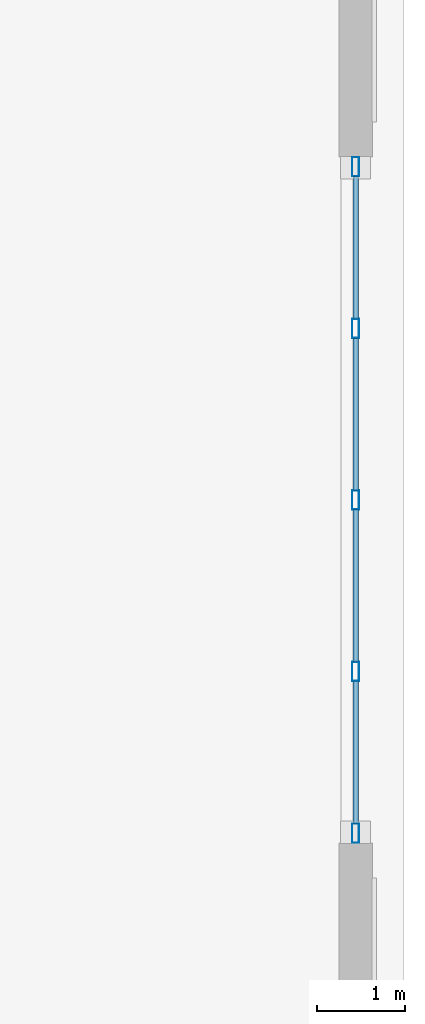
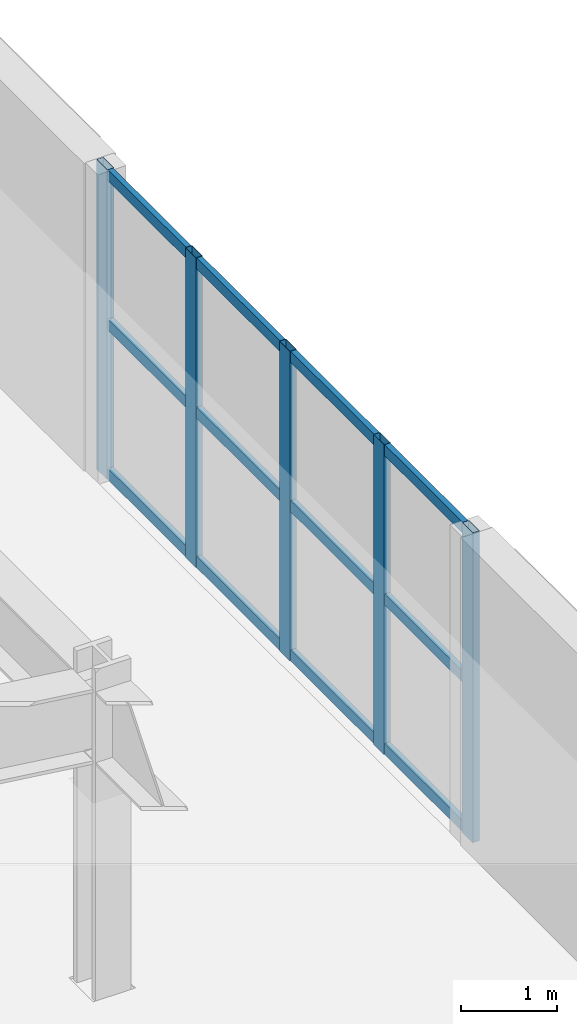
# One storey, part 12 of 22: 17 members, 1 element without a shape of its own.
"""IFC4 building model written with IfcOpenShell, lengths in metres."""

from ifc_helpers import new_model, si_unit, direction, frame, origin, origin_2d, place, context, subcontext, project, spatial, hollow_rectangle, extrude, material, layer, layer_set, material_profile, profile_set, type_object, element, aggregate, save


model = new_model("IFC4")

# Units and contexts
model_context = context("Model", 3, precision=1e-05, world=origin(), true_north=direction((0.0, 1.0)))
body_context = subcontext(model_context, "Body", "Model", "MODEL_VIEW")
ifc_project = project(units=[si_unit("LENGTHUNIT", "METRE"), si_unit("AREAUNIT", "SQUARE_METRE"), si_unit("VOLUMEUNIT", "CUBIC_METRE"), si_unit("PLANEANGLEUNIT", "RADIAN"), si_unit("MASSUNIT", "GRAM", prefix="KILO")], contexts=[model_context])

# Site, building, storey
site_placement = place(None, origin())
site = spatial("IfcSite", under=ifc_project, at=site_placement, CompositionType="ELEMENT")
building_placement = place(site_placement, origin())
building = spatial("IfcBuilding", under=site, at=building_placement, Name="Oramaril Tower", CompositionType="ELEMENT")
storey_placement = place(building_placement, frame((0.0, 0.0, 14.10009765625)))
storey = spatial("IfcBuildingStorey", under=building, at=storey_placement, Name="L03", CompositionType="ELEMENT", Elevation=14.10009765625)

# Curtain wall, members
ifc_material_1 = material(Name="Anodised Aluminium 6063-T6", Category="aluminium")
ifc_layer = layer(ifc_material_1, 0.219970703125)
ifc_layer_set = layer_set([ifc_layer], Name="CWT-SYS2")
curtain_wall_type = type_object("IfcCurtainWallType", Name="CWT-SYS2", PredefinedType="NOTDEFINED", material=ifc_layer_set)
curtain_wall_placement = place(storey_placement, origin())
curtain_wall = element("IfcCurtainWall", 1, at=curtain_wall_placement, inside=storey, type_object=curtain_wall_type, Name="L03 Unitised Curtain Wall CW-2", PredefinedType="NOTDEFINED")
ifc_material_2 = material(Name="Anodised Aluminium 6063-T6", Category="aluminium")
ifc_material_profile_1 = material_profile(ifc_material_2, hollow_rectangle(XDim=0.080078125, YDim=0.219970703125, WallThickness=0.00390625, at=origin_2d()), Name="CWM220X80")
ifc_profile_set_1 = profile_set([ifc_material_profile_1], Name="Anodised Aluminium 6063-T6")
member_type_1 = type_object("IfcMemberType", Name="MT-CWM1", PredefinedType="MULLION", material=ifc_profile_set_1)
member_1_placement = place(storey_placement, frame((71.050048828125, 19.010009765625, 0.0), z_axis=(0.0, 0.0, 1.0), x_axis=(-1.0, 0.0, 0.0)))
member_1 = element("IfcMember", 2, at=member_1_placement, type_object=member_type_1, Name="CW-2 mullion 1", PredefinedType="MULLION", context=body_context, shape_type="SweptSolid", body=[
    extrude(hollow_rectangle(XDim=0.080078125, YDim=0.219970703125, WallThickness=0.00390625, at=origin_2d()), origin(), (0.0, 0.0, 1.0), 3.919921875),
])
member_2_placement = place(storey_placement, frame((71.050048828125, 20.85009765625, 0.0), z_axis=(0.0, 0.0, 1.0), x_axis=(-1.0, 0.0, 0.0)))
member_2 = element("IfcMember", 3, at=member_2_placement, type_object=member_type_1, Name="CW-2 mullion 2", PredefinedType="MULLION", context=body_context, shape_type="SweptSolid", body=[
    extrude(hollow_rectangle(XDim=0.080078125, YDim=0.219970703125, WallThickness=0.00390625, at=origin_2d()), origin(), (0.0, 0.0, 1.0), 3.919921875),
])
member_3_placement = place(storey_placement, frame((71.050048828125, 22.800048828125, 0.0), z_axis=(0.0, 0.0, 1.0), x_axis=(-1.0, 0.0, 0.0)))
member_3 = element("IfcMember", 4, at=member_3_placement, type_object=member_type_1, Name="CW-2 mullion 3", PredefinedType="MULLION", context=body_context, shape_type="SweptSolid", body=[
    extrude(hollow_rectangle(XDim=0.080078125, YDim=0.219970703125, WallThickness=0.00390625, at=origin_2d()), origin(), (0.0, 0.0, 1.0), 3.919921875),
])
member_4_placement = place(storey_placement, frame((71.050048828125, 24.75, 0.0), z_axis=(0.0, 0.0, 1.0), x_axis=(-1.0, 0.0, 0.0)))
member_4 = element("IfcMember", 5, at=member_4_placement, type_object=member_type_1, Name="CW-2 mullion 4", PredefinedType="MULLION", context=body_context, shape_type="SweptSolid", body=[
    extrude(hollow_rectangle(XDim=0.080078125, YDim=0.219970703125, WallThickness=0.00390625, at=origin_2d()), origin(), (0.0, 0.0, 1.0), 3.919921875),
])
member_5_placement = place(storey_placement, frame((71.050048828125, 26.590087890625, 0.0), z_axis=(0.0, 0.0, 1.0), x_axis=(-1.0, 0.0, 0.0)))
member_5 = element("IfcMember", 6, at=member_5_placement, type_object=member_type_1, Name="CW-2 mullion 5", PredefinedType="MULLION", context=body_context, shape_type="SweptSolid", body=[
    extrude(hollow_rectangle(XDim=0.080078125, YDim=0.219970703125, WallThickness=0.00390625, at=origin_2d()), origin(), (0.0, 0.0, 1.0), 3.919921875),
])
ifc_material_3 = material(Name="Anodised Aluminium 6063-T6", Category="aluminium")
ifc_material_profile_2 = material_profile(ifc_material_3, hollow_rectangle(XDim=0.06494140625, YDim=0.139892578125, WallThickness=0.00390625, at=origin_2d()), Name="CWT140X65")
ifc_profile_set_2 = profile_set([ifc_material_profile_2], Name="Anodised Aluminium 6063-T6")
member_type_2 = type_object("IfcMemberType", Name="MT-CWT2", PredefinedType="USERDEFINED", material=ifc_profile_set_2)
member_6_placement = place(storey_placement, frame((71.050048828125, 19.1201171875, 0.06982421875), z_axis=(0.0, 1.0, 0.0), x_axis=(-1.0, 0.0, 0.0)))
member_6 = element("IfcMember", 7, at=member_6_placement, type_object=member_type_2, Name="CW-2 transom 1.1", ObjectType="TRANSOM", PredefinedType="USERDEFINED", context=body_context, shape_type="SweptSolid", body=[
    extrude(hollow_rectangle(XDim=0.06494140625, YDim=0.139892578125, WallThickness=0.00390625, at=origin_2d()), origin(), (0.0, 0.0, 1.0), 1.619873046875),
])
member_7_placement = place(storey_placement, frame((71.050048828125, 19.1201171875, 1.9599609375), z_axis=(0.0, 1.0, 0.0), x_axis=(-1.0, 0.0, 0.0)))
member_7 = element("IfcMember", 8, at=member_7_placement, type_object=member_type_2, Name="CW-2 transom 1.2", ObjectType="TRANSOM", PredefinedType="USERDEFINED", context=body_context, shape_type="SweptSolid", body=[
    extrude(hollow_rectangle(XDim=0.06494140625, YDim=0.139892578125, WallThickness=0.00390625, at=origin_2d()), origin(), (0.0, 0.0, 1.0), 1.619873046875),
])
member_8_placement = place(storey_placement, frame((71.050048828125, 19.1201171875, 3.849853515625), z_axis=(0.0, 1.0, 0.0), x_axis=(-1.0, 0.0, 0.0)))
member_8 = element("IfcMember", 9, at=member_8_placement, type_object=member_type_2, Name="CW-2 transom 1.3", ObjectType="TRANSOM", PredefinedType="USERDEFINED", context=body_context, shape_type="SweptSolid", body=[
    extrude(hollow_rectangle(XDim=0.06494140625, YDim=0.139892578125, WallThickness=0.00390625, at=origin_2d()), origin(), (0.0, 0.0, 1.0), 1.619873046875),
])
member_9_placement = place(storey_placement, frame((71.050048828125, 20.9599609375, 0.06982421875), z_axis=(0.0, 1.0, 0.0), x_axis=(-1.0, 0.0, 0.0)))
member_9 = element("IfcMember", 10, at=member_9_placement, type_object=member_type_2, Name="CW-2 transom 2.1", ObjectType="TRANSOM", PredefinedType="USERDEFINED", context=body_context, shape_type="SweptSolid", body=[
    extrude(hollow_rectangle(XDim=0.06494140625, YDim=0.139892578125, WallThickness=0.00390625, at=origin_2d()), origin(), (0.0, 0.0, 1.0), 1.72998046875),
])
member_10_placement = place(storey_placement, frame((71.050048828125, 20.9599609375, 1.9599609375), z_axis=(0.0, 1.0, 0.0), x_axis=(-1.0, 0.0, 0.0)))
member_10 = element("IfcMember", 11, at=member_10_placement, type_object=member_type_2, Name="CW-2 transom 2.2", ObjectType="TRANSOM", PredefinedType="USERDEFINED", context=body_context, shape_type="SweptSolid", body=[
    extrude(hollow_rectangle(XDim=0.06494140625, YDim=0.139892578125, WallThickness=0.00390625, at=origin_2d()), origin(), (0.0, 0.0, 1.0), 1.72998046875),
])
member_11_placement = place(storey_placement, frame((71.050048828125, 20.9599609375, 3.849853515625), z_axis=(0.0, 1.0, 0.0), x_axis=(-1.0, 0.0, 0.0)))
member_11 = element("IfcMember", 12, at=member_11_placement, type_object=member_type_2, Name="CW-2 transom 2.3", ObjectType="TRANSOM", PredefinedType="USERDEFINED", context=body_context, shape_type="SweptSolid", body=[
    extrude(hollow_rectangle(XDim=0.06494140625, YDim=0.139892578125, WallThickness=0.00390625, at=origin_2d()), origin(), (0.0, 0.0, 1.0), 1.72998046875),
])
member_12_placement = place(storey_placement, frame((71.050048828125, 22.909912109375, 0.06982421875), z_axis=(0.0, 1.0, 0.0), x_axis=(-1.0, 0.0, 0.0)))
member_12 = element("IfcMember", 13, at=member_12_placement, type_object=member_type_2, Name="CW-2 transom 3.1", ObjectType="TRANSOM", PredefinedType="USERDEFINED", context=body_context, shape_type="SweptSolid", body=[
    extrude(hollow_rectangle(XDim=0.06494140625, YDim=0.139892578125, WallThickness=0.00390625, at=origin_2d()), origin(), (0.0, 0.0, 1.0), 1.72998046875),
])
member_13_placement = place(storey_placement, frame((71.050048828125, 22.909912109375, 1.9599609375), z_axis=(0.0, 1.0, 0.0), x_axis=(-1.0, 0.0, 0.0)))
member_13 = element("IfcMember", 14, at=member_13_placement, type_object=member_type_2, Name="CW-2 transom 3.2", ObjectType="TRANSOM", PredefinedType="USERDEFINED", context=body_context, shape_type="SweptSolid", body=[
    extrude(hollow_rectangle(XDim=0.06494140625, YDim=0.139892578125, WallThickness=0.00390625, at=origin_2d()), origin(), (0.0, 0.0, 1.0), 1.72998046875),
])
member_14_placement = place(storey_placement, frame((71.050048828125, 22.909912109375, 3.849853515625), z_axis=(0.0, 1.0, 0.0), x_axis=(-1.0, 0.0, 0.0)))
member_14 = element("IfcMember", 15, at=member_14_placement, type_object=member_type_2, Name="CW-2 transom 3.3", ObjectType="TRANSOM", PredefinedType="USERDEFINED", context=body_context, shape_type="SweptSolid", body=[
    extrude(hollow_rectangle(XDim=0.06494140625, YDim=0.139892578125, WallThickness=0.00390625, at=origin_2d()), origin(), (0.0, 0.0, 1.0), 1.72998046875),
])
member_15_placement = place(storey_placement, frame((71.050048828125, 24.860107421875, 0.06982421875), z_axis=(0.0, 1.0, 0.0), x_axis=(-1.0, 0.0, 0.0)))
member_15 = element("IfcMember", 16, at=member_15_placement, type_object=member_type_2, Name="CW-2 transom 4.1", ObjectType="TRANSOM", PredefinedType="USERDEFINED", context=body_context, shape_type="SweptSolid", body=[
    extrude(hollow_rectangle(XDim=0.06494140625, YDim=0.139892578125, WallThickness=0.00390625, at=origin_2d()), origin(), (0.0, 0.0, 1.0), 1.619873046875),
])
member_16_placement = place(storey_placement, frame((71.050048828125, 24.860107421875, 1.9599609375), z_axis=(0.0, 1.0, 0.0), x_axis=(-1.0, 0.0, 0.0)))
member_16 = element("IfcMember", 17, at=member_16_placement, type_object=member_type_2, Name="CW-2 transom 4.2", ObjectType="TRANSOM", PredefinedType="USERDEFINED", context=body_context, shape_type="SweptSolid", body=[
    extrude(hollow_rectangle(XDim=0.06494140625, YDim=0.139892578125, WallThickness=0.00390625, at=origin_2d()), origin(), (0.0, 0.0, 1.0), 1.619873046875),
])
member_17_placement = place(storey_placement, frame((71.050048828125, 24.860107421875, 3.849853515625), z_axis=(0.0, 1.0, 0.0), x_axis=(-1.0, 0.0, 0.0)))
member_17 = element("IfcMember", 18, at=member_17_placement, type_object=member_type_2, Name="CW-2 transom 4.3", ObjectType="TRANSOM", PredefinedType="USERDEFINED", context=body_context, shape_type="SweptSolid", body=[
    extrude(hollow_rectangle(XDim=0.06494140625, YDim=0.139892578125, WallThickness=0.00390625, at=origin_2d()), origin(), (0.0, 0.0, 1.0), 1.619873046875),
])
aggregate(curtain_wall, [member_1, member_2, member_3, member_4, member_5, member_6, member_7, member_8, member_9, member_10, member_11, member_12, member_13, member_14, member_15, member_16, member_17])

save(model, "model.ifc")
